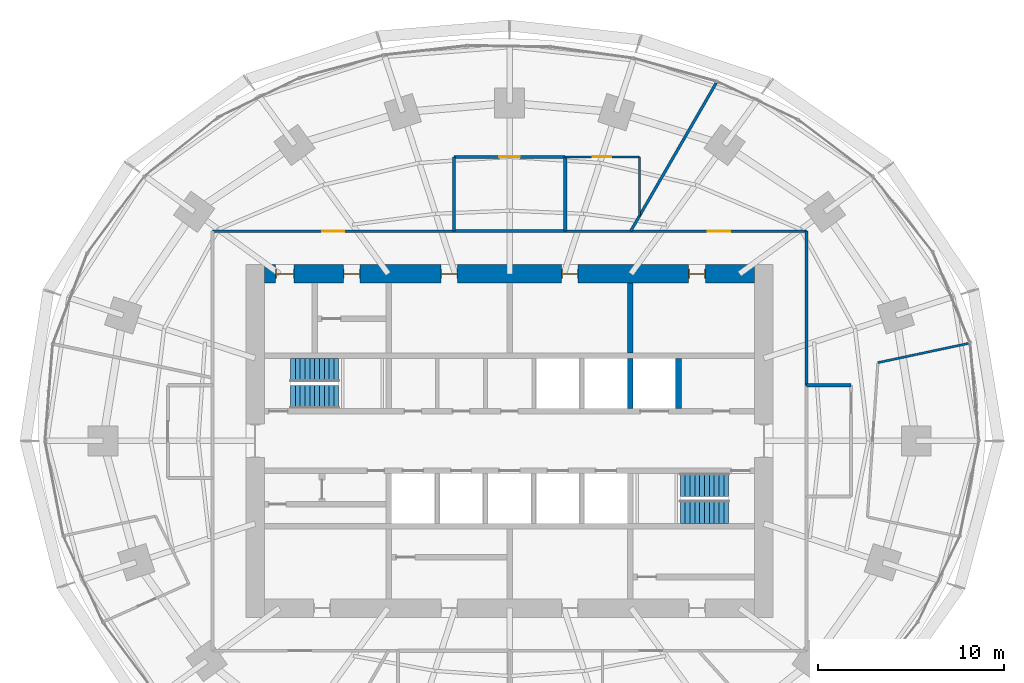
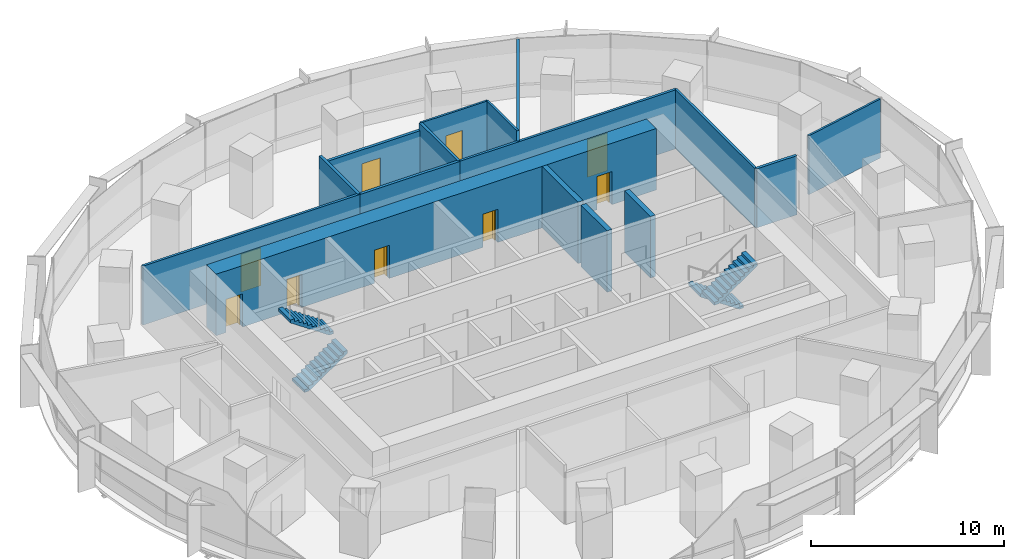
# One storey, part 12 of 14: 16 walls, 9 doors, 4 stair flights, 9 openings, 2 elements without a shape of their own.
"""IFC4 building model written with IfcOpenShell, lengths in metres."""

from ifc_helpers import new_model, si_unit, direction, frame, frame_2d, origin, place, context, subcontext, project, spatial, polyline, rectangle, outline, extrude, material, layer, layer_set, type_object, element, fill, aggregate, save


model = new_model("IFC4")

# Units and contexts
model_context = context("Model", 3, precision=1e-05, world=origin(), true_north=direction((0.0, 1.0)))
body_context = subcontext(model_context, "Body", "Model", "MODEL_VIEW")
ifc_project = project(units=[si_unit("LENGTHUNIT", "METRE"), si_unit("AREAUNIT", "SQUARE_METRE"), si_unit("VOLUMEUNIT", "CUBIC_METRE"), si_unit("PLANEANGLEUNIT", "RADIAN"), si_unit("MASSUNIT", "GRAM", prefix="KILO")], contexts=[model_context])

# Site, building, storey
site_placement = place(None, origin())
site = spatial("IfcSite", under=ifc_project, at=site_placement, CompositionType="ELEMENT")
building_placement = place(site_placement, origin())
building = spatial("IfcBuilding", under=site, at=building_placement, Name="Marramba Exchange Tower", CompositionType="ELEMENT")
storey_placement = place(building_placement, frame((0.0, 0.0, 123.60009765625)))
storey = spatial("IfcBuildingStorey", under=building, at=storey_placement, Name="L29", CompositionType="ELEMENT", Elevation=123.60009765625)

# Walls
ifc_material_1 = material(Name="Plasterboard on staggered double steel studs, acoustic insulation", Category="steel")
ifc_layer_1 = layer(ifc_material_1, 0.169921875)
ifc_layer_set_1 = layer_set([ifc_layer_1], Name="Acoustic partition 170")
wall_type_1 = type_object("IfcWallType", Name="Acoustic partition 170", PredefinedType="PARTITIONING", material=ifc_layer_set_1)
wall_1_placement = place(storey_placement, frame((18.39990234375, 3.0, 0.0), z_axis=(0.0, 0.0, 1.0), x_axis=(-1.0, 0.0, 0.0)))
element("IfcWall", 1, at=wall_1_placement, inside=storey, type_object=wall_type_1, Name="Acoustic partition L29 22", PredefinedType="PARTITIONING", context=body_context, shape_type="SweptSolid", body=[
    extrude(rectangle(XDim=2.39990234375, YDim=0.169921875, at=frame_2d((1.199951171875, 0.0))), origin(), (0.0, 0.0, 1.0), 3.739990234375),
])
wall_2_placement = place(storey_placement, frame((3.0, 15.300048828125, 0.0), z_axis=(0.0, 0.0, 1.0), x_axis=(0.0, -1.0, 0.0)))
element("IfcWall", 2, at=wall_2_placement, inside=storey, type_object=wall_type_1, Name="Acoustic partition L29 29", PredefinedType="PARTITIONING", context=body_context, shape_type="SweptSolid", body=[
    extrude(rectangle(XDim=4.0, YDim=0.169921875, at=frame_2d((2.0, 0.0))), origin(), (0.0, 0.0, 1.0), 3.739990234375),
])
wall_3_placement = place(storey_placement, frame((-3.0, 11.300048828125, 0.0), z_axis=(0.0, 0.0, 1.0), x_axis=(1.0, 0.0, 0.0)))
element("IfcWall", 3, at=wall_3_placement, inside=storey, type_object=wall_type_1, Name="Acoustic partition L29 30", PredefinedType="PARTITIONING", context=body_context, shape_type="SweptSolid", body=[
    extrude(rectangle(XDim=6.0, YDim=0.169921875, at=frame_2d((3.0, 0.0))), origin(), (0.0, 0.0, 1.0), 3.739990234375),
])

# Wall, opening, door
wall_4_placement = place(storey_placement, frame((3.0, 15.300048828125, 0.0), z_axis=(0.0, 0.0, 1.0), x_axis=(-1.0, 0.0, 0.0)))
wall_4 = element("IfcWall", 4, at=wall_4_placement, inside=storey, type_object=wall_type_1, Name="Acoustic partition L29 31", PredefinedType="PARTITIONING", context=body_context, shape_type="SweptSolid", body=[
    extrude(rectangle(XDim=6.0, YDim=0.169921875, at=frame_2d((3.0, 0.0))), origin(), (0.0, 0.0, 1.0), 3.285888671875),
])
opening_1_placement = place(wall_4_placement, frame((2.449951171875, 0.0, 0.0)))
opening_1 = element("IfcOpeningElement", 5, at=opening_1_placement, cuts=wall_4, Name="Opening D15", PredefinedType="OPENING", context=body_context, shape_type="SweptSolid", body=[
    extrude(rectangle(XDim=1.10009765625, YDim=2.39990234375, at=frame_2d((0.550048828125, 1.199951171875))), frame((0.0, 0.094970703125, 0.0), z_axis=(0.0, -1.0, 0.0), x_axis=(1.0, 0.0, 0.0)), (0.0, 0.0, 1.0), 0.18994140625),
])
ifc_material_2 = material(Name="Timber door", Category="wood")
door_type_1 = type_object("IfcDoorType", Name="Glazed meeting room door 1100x2400", OperationType="SINGLE_SWING_LEFT", PredefinedType="DOOR", material=ifc_material_2)
door_1_placement = place(opening_1_placement, origin())
door_1 = element("IfcDoor", 6, at=door_1_placement, inside=storey, type_object=door_type_1, Name="D15 Meeting Room 2 L29", OperationType="SINGLE_SWING_RIGHT", OverallHeight=2.39990234375, OverallWidth=1.10009765625, PredefinedType="DOOR", context=body_context, shape_type="SweptSolid", body=[
    extrude(rectangle(XDim=1.10009765625, YDim=2.39990234375, at=frame_2d((0.550048828125, 1.199951171875))), frame((0.0, 0.02490234375, 0.0), z_axis=(0.0, -1.0, 0.0), x_axis=(1.0, 0.0, 0.0)), (0.0, 0.0, 1.0), 0.050048828125),
])
fill(opening_1, door_1)

# Wall
wall_5_placement = place(storey_placement, frame((-3.0, 15.300048828125, 0.0), z_axis=(0.0, 0.0, 1.0), x_axis=(0.0, -1.0, 0.0)))
element("IfcWall", 7, at=wall_5_placement, inside=storey, type_object=wall_type_1, Name="Acoustic partition L29 32", PredefinedType="PARTITIONING", context=body_context, shape_type="SweptSolid", body=[
    extrude(rectangle(XDim=4.0, YDim=0.169921875, at=frame_2d((2.0, 0.0))), origin(), (0.0, 0.0, 1.0), 3.739990234375),
])

# Wall, openings, doors
ifc_material_3 = material(Name="Concrete N50", Category="concrete")
ifc_layer_2 = layer(ifc_material_3, 1.0)
ifc_layer_set_2 = layer_set([ifc_layer_2], Name="Core wall 1000")
wall_type_2 = type_object("IfcWallType", Name="Core wall 1000", PredefinedType="SHEAR", material=ifc_layer_set_2)
wall_6_placement = place(storey_placement, frame((13.199951171875, 9.0, 0.0), z_axis=(0.0, 0.0, 1.0), x_axis=(-1.0, 0.0, 0.0)))
wall_6 = element("IfcWall", 8, at=wall_6_placement, inside=storey, type_object=wall_type_2, Name="Core wall N L29", PredefinedType="SHEAR", context=body_context, shape_type="SweptSolid", body=[
    extrude(rectangle(XDim=26.39990234375, YDim=1.0, at=frame_2d((13.199951171875, 0.0))), origin(), (0.0, 0.0, 1.0), 3.89990234375),
])
opening_2_placement = place(wall_6_placement, frame((2.64990234375, 0.0, 0.0)))
opening_2 = element("IfcOpeningElement", 9, at=opening_2_placement, cuts=wall_6, Name="Opening D5", PredefinedType="OPENING", context=body_context, shape_type="SweptSolid", body=[
    extrude(rectangle(XDim=0.89990234375, YDim=2.10009765625, at=frame_2d((0.449951171875, 1.050048828125))), frame((0.0, 0.510009765625, 0.0), z_axis=(0.0, -1.0, 0.0), x_axis=(1.0, 0.0, 0.0)), (0.0, 0.0, 1.0), 1.02001953125),
])
opening_3_placement = place(wall_6_placement, frame((9.5, 0.0, 0.0)))
opening_3 = element("IfcOpeningElement", 10, at=opening_3_placement, cuts=wall_6, Name="Opening D3", PredefinedType="OPENING", context=body_context, shape_type="SweptSolid", body=[
    extrude(rectangle(XDim=0.89990234375, YDim=2.10009765625, at=frame_2d((0.449951171875, 1.050048828125))), frame((0.0, 0.510009765625, 0.0), z_axis=(0.0, -1.0, 0.0), x_axis=(1.0, 0.0, 0.0)), (0.0, 0.0, 1.0), 1.02001953125),
])
opening_4_placement = place(wall_6_placement, frame((16.0, 0.0, 0.0)))
opening_4 = element("IfcOpeningElement", 11, at=opening_4_placement, cuts=wall_6, Name="Opening D3", PredefinedType="OPENING", context=body_context, shape_type="SweptSolid", body=[
    extrude(rectangle(XDim=0.89990234375, YDim=2.10009765625, at=frame_2d((0.449951171875, 1.050048828125))), frame((0.0, 0.510009765625, 0.0), z_axis=(0.0, -1.0, 0.0), x_axis=(1.0, 0.0, 0.0)), (0.0, 0.0, 1.0), 1.02001953125),
])
opening_5_placement = place(wall_6_placement, frame((21.25, 0.0, 0.0)))
opening_5 = element("IfcOpeningElement", 12, at=opening_5_placement, cuts=wall_6, Name="Opening D5", PredefinedType="OPENING", context=body_context, shape_type="SweptSolid", body=[
    extrude(rectangle(XDim=0.89990234375, YDim=2.10009765625, at=frame_2d((0.449951171875, 1.050048828125))), frame((0.0, 0.510009765625, 0.0), z_axis=(0.0, -1.0, 0.0), x_axis=(1.0, 0.0, 0.0)), (0.0, 0.0, 1.0), 1.02001953125),
])
opening_6_placement = place(wall_6_placement, frame((24.800048828125, 0.0, 0.0)))
opening_6 = element("IfcOpeningElement", 13, at=opening_6_placement, cuts=wall_6, Name="Opening D4", PredefinedType="OPENING", context=body_context, shape_type="SweptSolid", body=[
    extrude(rectangle(XDim=1.0, YDim=2.10009765625, at=frame_2d((0.5, 1.050048828125))), frame((0.0, 0.510009765625, 0.0), z_axis=(0.0, -1.0, 0.0), x_axis=(1.0, 0.0, 0.0)), (0.0, 0.0, 1.0), 1.02001953125),
])
ifc_material_4 = material(Name="Steel-framed door", Category="steel")
door_type_2 = type_object("IfcDoorType", Name="Accessible toilet door 1000x2100", OperationType="SINGLE_SWING_LEFT", PredefinedType="DOOR", material=ifc_material_4)
door_2_placement = place(opening_6_placement, origin())
door_2 = element("IfcDoor", 14, at=door_2_placement, inside=storey, type_object=door_type_2, Name="D4 awc L29", OperationType="SINGLE_SWING_RIGHT", OverallHeight=2.10009765625, OverallWidth=1.0, PredefinedType="DOOR", context=body_context, shape_type="SweptSolid", body=[
    extrude(rectangle(XDim=0.919921875, YDim=2.06005859375, at=frame_2d((0.5, 1.030029296875))), frame((0.0, 0.02490234375, 0.0), z_axis=(0.0, -1.0, 0.0), x_axis=(1.0, 0.0, 0.0)), (0.0, 0.0, 1.0), 0.050048828125),
    extrude(rectangle(XDim=0.04, YDim=2.10009765625, at=frame_2d((0.02001953125, 1.050048828125))), frame((0.0, 0.25, 0.0), z_axis=(0.0, -1.0, 0.0), x_axis=(1.0, 0.0, 0.0)), (0.0, 0.0, 1.0), 0.5),
    extrude(rectangle(XDim=0.04, YDim=2.10009765625, at=frame_2d((0.97998046875, 1.050048828125))), frame((0.0, 0.25, 0.0), z_axis=(0.0, -1.0, 0.0), x_axis=(1.0, 0.0, 0.0)), (0.0, 0.0, 1.0), 0.5),
    extrude(rectangle(XDim=0.919921875, YDim=0.04, at=frame_2d((0.5, 2.080078125))), frame((0.0, 0.25, 0.0), z_axis=(0.0, -1.0, 0.0), x_axis=(1.0, 0.0, 0.0)), (0.0, 0.0, 1.0), 0.5),
])
fill(opening_6, door_2)
door_type_3 = type_object("IfcDoorType", Name="Service door 900x2100", OperationType="SINGLE_SWING_LEFT", PredefinedType="DOOR", material=ifc_material_4)
door_3_placement = place(opening_2_placement, origin())
door_3 = element("IfcDoor", 15, at=door_3_placement, inside=storey, type_object=door_type_3, Name="D5 comms L29", OperationType="SINGLE_SWING_LEFT", OverallHeight=2.10009765625, OverallWidth=0.89990234375, PredefinedType="DOOR", context=body_context, shape_type="SweptSolid", body=[
    extrude(rectangle(XDim=0.81982421875, YDim=2.06005859375, at=frame_2d((0.449951171875, 1.030029296875))), frame((0.0, 0.02490234375, 0.0), z_axis=(0.0, -1.0, 0.0), x_axis=(1.0, 0.0, 0.0)), (0.0, 0.0, 1.0), 0.050048828125),
    extrude(rectangle(XDim=0.04, YDim=2.10009765625, at=frame_2d((0.02001953125, 1.050048828125))), frame((0.0, 0.25, 0.0), z_axis=(0.0, -1.0, 0.0), x_axis=(1.0, 0.0, 0.0)), (0.0, 0.0, 1.0), 0.5),
    extrude(rectangle(XDim=0.04, YDim=2.10009765625, at=frame_2d((0.8798828125, 1.050048828125))), frame((0.0, 0.25, 0.0), z_axis=(0.0, -1.0, 0.0), x_axis=(1.0, 0.0, 0.0)), (0.0, 0.0, 1.0), 0.5),
    extrude(rectangle(XDim=0.81982421875, YDim=0.04, at=frame_2d((0.449951171875, 2.080078125))), frame((0.0, 0.25, 0.0), z_axis=(0.0, -1.0, 0.0), x_axis=(1.0, 0.0, 0.0)), (0.0, 0.0, 1.0), 0.5),
])
fill(opening_2, door_3)
door_4_placement = place(opening_5_placement, origin())
door_4 = element("IfcDoor", 16, at=door_4_placement, inside=storey, type_object=door_type_3, Name="D5 cleaner L29", OperationType="SINGLE_SWING_RIGHT", OverallHeight=2.10009765625, OverallWidth=0.89990234375, PredefinedType="DOOR", context=body_context, shape_type="SweptSolid", body=[
    extrude(rectangle(XDim=0.81982421875, YDim=2.06005859375, at=frame_2d((0.449951171875, 1.030029296875))), frame((0.0, 0.02490234375, 0.0), z_axis=(0.0, -1.0, 0.0), x_axis=(1.0, 0.0, 0.0)), (0.0, 0.0, 1.0), 0.050048828125),
    extrude(rectangle(XDim=0.04, YDim=2.10009765625, at=frame_2d((0.02001953125, 1.050048828125))), frame((0.0, 0.25, 0.0), z_axis=(0.0, -1.0, 0.0), x_axis=(1.0, 0.0, 0.0)), (0.0, 0.0, 1.0), 0.5),
    extrude(rectangle(XDim=0.04, YDim=2.10009765625, at=frame_2d((0.8798828125, 1.050048828125))), frame((0.0, 0.25, 0.0), z_axis=(0.0, -1.0, 0.0), x_axis=(1.0, 0.0, 0.0)), (0.0, 0.0, 1.0), 0.5),
    extrude(rectangle(XDim=0.81982421875, YDim=0.04, at=frame_2d((0.449951171875, 2.080078125))), frame((0.0, 0.25, 0.0), z_axis=(0.0, -1.0, 0.0), x_axis=(1.0, 0.0, 0.0)), (0.0, 0.0, 1.0), 0.5),
])
fill(opening_5, door_4)
door_type_4 = type_object("IfcDoorType", Name="Toilet door 900x2100", OperationType="SINGLE_SWING_LEFT", PredefinedType="DOOR", material=ifc_material_4)
door_5_placement = place(opening_3_placement, origin())
door_5 = element("IfcDoor", 17, at=door_5_placement, inside=storey, type_object=door_type_4, Name="D3 wc-f L29", OperationType="SINGLE_SWING_RIGHT", OverallHeight=2.10009765625, OverallWidth=0.89990234375, PredefinedType="DOOR", context=body_context, shape_type="SweptSolid", body=[
    extrude(rectangle(XDim=0.81982421875, YDim=2.06005859375, at=frame_2d((0.449951171875, 1.030029296875))), frame((0.0, 0.02490234375, 0.0), z_axis=(0.0, -1.0, 0.0), x_axis=(1.0, 0.0, 0.0)), (0.0, 0.0, 1.0), 0.050048828125),
    extrude(rectangle(XDim=0.04, YDim=2.10009765625, at=frame_2d((0.02001953125, 1.050048828125))), frame((0.0, 0.25, 0.0), z_axis=(0.0, -1.0, 0.0), x_axis=(1.0, 0.0, 0.0)), (0.0, 0.0, 1.0), 0.5),
    extrude(rectangle(XDim=0.04, YDim=2.10009765625, at=frame_2d((0.8798828125, 1.050048828125))), frame((0.0, 0.25, 0.0), z_axis=(0.0, -1.0, 0.0), x_axis=(1.0, 0.0, 0.0)), (0.0, 0.0, 1.0), 0.5),
    extrude(rectangle(XDim=0.81982421875, YDim=0.04, at=frame_2d((0.449951171875, 2.080078125))), frame((0.0, 0.25, 0.0), z_axis=(0.0, -1.0, 0.0), x_axis=(1.0, 0.0, 0.0)), (0.0, 0.0, 1.0), 0.5),
])
fill(opening_3, door_5)
door_6_placement = place(opening_4_placement, origin())
door_6 = element("IfcDoor", 18, at=door_6_placement, inside=storey, type_object=door_type_4, Name="D3 wc-m L29", OperationType="SINGLE_SWING_RIGHT", OverallHeight=2.10009765625, OverallWidth=0.89990234375, PredefinedType="DOOR", context=body_context, shape_type="SweptSolid", body=[
    extrude(rectangle(XDim=0.81982421875, YDim=2.06005859375, at=frame_2d((0.449951171875, 1.030029296875))), frame((0.0, 0.02490234375, 0.0), z_axis=(0.0, -1.0, 0.0), x_axis=(1.0, 0.0, 0.0)), (0.0, 0.0, 1.0), 0.050048828125),
    extrude(rectangle(XDim=0.04, YDim=2.10009765625, at=frame_2d((0.02001953125, 1.050048828125))), frame((0.0, 0.25, 0.0), z_axis=(0.0, -1.0, 0.0), x_axis=(1.0, 0.0, 0.0)), (0.0, 0.0, 1.0), 0.5),
    extrude(rectangle(XDim=0.04, YDim=2.10009765625, at=frame_2d((0.8798828125, 1.050048828125))), frame((0.0, 0.25, 0.0), z_axis=(0.0, -1.0, 0.0), x_axis=(1.0, 0.0, 0.0)), (0.0, 0.0, 1.0), 0.5),
    extrude(rectangle(XDim=0.81982421875, YDim=0.04, at=frame_2d((0.449951171875, 2.080078125))), frame((0.0, 0.25, 0.0), z_axis=(0.0, -1.0, 0.0), x_axis=(1.0, 0.0, 0.0)), (0.0, 0.0, 1.0), 0.5),
])
fill(opening_4, door_6)

# Walls
ifc_layer_3 = layer(ifc_material_3, 0.300048828125)
ifc_layer_set_3 = layer_set([ifc_layer_3], Name="Core wall 300")
wall_type_3 = type_object("IfcWallType", Name="Core wall 300", PredefinedType="SHEAR", material=ifc_layer_set_3)
wall_7_placement = place(storey_placement, frame((6.5, 1.75, 0.0), z_axis=(0.0, 0.0, 1.0), x_axis=(0.0, 1.0, 0.0)))
element("IfcWall", 19, at=wall_7_placement, inside=storey, type_object=wall_type_3, Name="Core wall X1Na L29", PredefinedType="SHEAR", context=body_context, shape_type="SweptSolid", body=[
    extrude(rectangle(XDim=2.699951171875, YDim=0.300048828125, at=frame_2d((1.35009765625, 0.0))), origin(), (0.0, 0.0, 1.0), 3.89990234375),
])
wall_8_placement = place(storey_placement, frame((6.5, 4.75, 0.0), z_axis=(0.0, 0.0, 1.0), x_axis=(0.0, 1.0, 0.0)))
element("IfcWall", 20, at=wall_8_placement, inside=storey, type_object=wall_type_3, Name="Core wall X1Nb L29", PredefinedType="SHEAR", context=body_context, shape_type="SweptSolid", body=[
    extrude(rectangle(XDim=3.75, YDim=0.300048828125, at=frame_2d((1.875, 0.0))), origin(), (0.0, 0.0, 1.0), 3.89990234375),
])
wall_9_placement = place(storey_placement, frame((9.10009765625, 1.75, 0.0), z_axis=(0.0, 0.0, 1.0), x_axis=(0.0, 1.0, 0.0)))
element("IfcWall", 21, at=wall_9_placement, inside=storey, type_object=wall_type_3, Name="Core wall ED L29", PredefinedType="SHEAR", context=body_context, shape_type="SweptSolid", body=[
    extrude(rectangle(XDim=2.699951171875, YDim=0.300048828125, at=frame_2d((1.35009765625, 0.0))), origin(), (0.0, 0.0, 1.0), 3.89990234375),
])
ifc_material_5 = material(Name="Plasterboard on steel studs", Category="steel")
ifc_layer_4 = layer(ifc_material_5, 0.1201171875)
ifc_layer_set_4 = layer_set([ifc_layer_4], Name="Partition 120")
wall_type_4 = type_object("IfcWallType", Name="Partition 120", PredefinedType="PARTITIONING", material=ifc_layer_set_4)
wall_10_placement = place(storey_placement, frame((24.73046875, 5.256591796875, 0.0), z_axis=(0.0, 0.0, 1.0), x_axis=(-0.978149046495, -0.207904888932, 0.0)))
element("IfcWall", 22, at=wall_10_placement, inside=storey, type_object=wall_type_4, Name="Partition L29 23", PredefinedType="PARTITIONING", context=body_context, shape_type="SweptSolid", body=[
    extrude(rectangle(XDim=5.000244140625, YDim=0.1201171875, at=frame_2d((2.5, 0.0))), origin(), (0.0, 0.0, 1.0), 3.739990234375),
])
wall_11_placement = place(storey_placement, frame((7.0, 12.124267578125, 0.0), z_axis=(0.0, 0.0, 1.0), x_axis=(0.0, 1.0, 0.0)))
element("IfcWall", 23, at=wall_11_placement, inside=storey, type_object=wall_type_4, Name="Partition L29 27", PredefinedType="PARTITIONING", context=body_context, shape_type="SweptSolid", body=[
    extrude(rectangle(XDim=3.17578125, YDim=0.1201171875, at=frame_2d((1.587890625, 0.0))), origin(), (0.0, 0.0, 1.0), 3.739990234375),
])

# Wall, opening, door
wall_12_placement = place(storey_placement, frame((7.0, 15.300048828125, 0.0), z_axis=(0.0, 0.0, 1.0), x_axis=(-1.0, 0.0, 0.0)))
wall_12 = element("IfcWall", 24, at=wall_12_placement, inside=storey, type_object=wall_type_4, Name="Partition L29 28", PredefinedType="PARTITIONING", context=body_context, shape_type="SweptSolid", body=[
    extrude(rectangle(XDim=4.0, YDim=0.1201171875, at=frame_2d((2.0, 0.0))), origin(), (0.0, 0.0, 1.0), 3.739990234375),
])
opening_7_placement = place(wall_12_placement, frame((1.52587890625, 0.0, 0.0)))
opening_7 = element("IfcOpeningElement", 25, at=opening_7_placement, cuts=wall_12, Name="Opening D9", PredefinedType="OPENING", context=body_context, shape_type="SweptSolid", body=[
    extrude(rectangle(XDim=1.0, YDim=2.39990234375, at=frame_2d((0.5, 1.199951171875))), frame((0.0, 0.070068359375, 0.0), z_axis=(0.0, -1.0, 0.0), x_axis=(1.0, 0.0, 0.0)), (0.0, 0.0, 1.0), 0.14013671875),
])
door_type_5 = type_object("IfcDoorType", Name="Room door 1000x2400", OperationType="SINGLE_SWING_LEFT", PredefinedType="DOOR", material=ifc_material_2)
door_7_placement = place(opening_7_placement, origin())
door_7 = element("IfcDoor", 26, at=door_7_placement, inside=storey, type_object=door_type_5, Name="D9 Pantry 1 L29", OperationType="SINGLE_SWING_RIGHT", OverallHeight=2.39990234375, OverallWidth=1.0, PredefinedType="DOOR", context=body_context, shape_type="SweptSolid", body=[
    extrude(rectangle(XDim=1.0, YDim=2.39990234375, at=frame_2d((0.5, 1.199951171875))), frame((0.0, 0.02490234375, 0.0), z_axis=(0.0, -1.0, 0.0), x_axis=(1.0, 0.0, 0.0)), (0.0, 0.0, 1.0), 0.050048828125),
])
fill(opening_7, door_7)

# Wall
ifc_material_6 = material(Name="Fire-rated plasterboard on steel studs, acoustic insulation", Category="steel")
ifc_layer_5 = layer(ifc_material_6, 0.14990234375)
ifc_layer_set_5 = layer_set([ifc_layer_5], Name="Tenancy wall 150")
wall_type_5 = type_object("IfcWallType", Name="Tenancy wall 150", PredefinedType="PARTITIONING", material=ifc_layer_set_5)
wall_13_placement = place(storey_placement, frame((16.0, 3.0, 0.0), z_axis=(0.0, 0.0, 1.0), x_axis=(0.0, 1.0, 0.0)))
element("IfcWall", 27, at=wall_13_placement, inside=storey, type_object=wall_type_5, Name="Tenancy wall L29 24", PredefinedType="PARTITIONING", context=body_context, shape_type="SweptSolid", body=[
    extrude(rectangle(XDim=8.300048828125, YDim=0.14990234375, at=frame_2d((4.14990234375, 0.0))), origin(), (0.0, 0.0, 1.0), 3.739990234375),
])

# Wall, opening, door
wall_14_placement = place(storey_placement, frame((16.0, 11.300048828125, 0.0), z_axis=(0.0, 0.0, 1.0), x_axis=(-1.0, 0.0, 0.0)))
wall_14 = element("IfcWall", 28, at=wall_14_placement, inside=storey, type_object=wall_type_5, Name="Tenancy wall L29 25", PredefinedType="PARTITIONING", context=body_context, shape_type="SweptSolid", body=[
    extrude(rectangle(XDim=13.0, YDim=0.14990234375, at=frame_2d((6.5, 0.0))), origin(), (0.0, 0.0, 1.0), 3.739990234375),
])
opening_8_placement = place(wall_14_placement, frame((4.113037109375, 0.0, 0.0)))
opening_8 = element("IfcOpeningElement", 29, at=opening_8_placement, cuts=wall_14, Name="Opening D13", PredefinedType="OPENING", context=body_context, shape_type="SweptSolid", body=[
    extrude(rectangle(XDim=1.199951171875, YDim=2.39990234375, at=frame_2d((0.60009765625, 1.199951171875))), frame((0.0, 0.0849609375, 0.0), z_axis=(0.0, -1.0, 0.0), x_axis=(1.0, 0.0, 0.0)), (0.0, 0.0, 1.0), 0.169921875),
])
door_type_6 = type_object("IfcDoorType", Name="Tenancy entry door 1200x2400", OperationType="SINGLE_SWING_LEFT", PredefinedType="DOOR", material=ifc_material_4)
door_8_placement = place(opening_8_placement, origin())
door_8 = element("IfcDoor", 30, at=door_8_placement, inside=storey, type_object=door_type_6, Name="D13 Office 1 L29", OperationType="SINGLE_SWING_LEFT", OverallHeight=2.39990234375, OverallWidth=1.199951171875, PredefinedType="DOOR", context=body_context, shape_type="SweptSolid", body=[
    extrude(rectangle(XDim=1.199951171875, YDim=2.39990234375, at=frame_2d((0.60009765625, 1.199951171875))), frame((0.0, 0.02490234375, 0.0), z_axis=(0.0, -1.0, 0.0), x_axis=(1.0, 0.0, 0.0)), (0.0, 0.0, 1.0), 0.050048828125),
])
fill(opening_8, door_8)

# Wall
wall_15_placement = place(storey_placement, frame((6.524169921875, 11.300048828125, 0.0), z_axis=(0.0, 0.0, 1.0), x_axis=(0.499995827671, 0.866027812666, 0.0)))
element("IfcWall", 31, at=wall_15_placement, inside=storey, type_object=wall_type_5, Name="Tenancy wall L29 26", PredefinedType="PARTITIONING", context=body_context, shape_type="SweptSolid", body=[
    extrude(rectangle(XDim=9.22509765625, YDim=0.14990234375, at=frame_2d((4.612548828125, 0.0))), origin(), (0.0, 0.0, 1.0), 3.739990234375),
])

# Wall, opening, door
wall_16_placement = place(storey_placement, frame((-3.0, 11.300048828125, 0.0), z_axis=(0.0, 0.0, 1.0), x_axis=(-1.0, 0.0, 0.0)))
wall_16 = element("IfcWall", 32, at=wall_16_placement, inside=storey, type_object=wall_type_5, Name="Tenancy wall L29 33", PredefinedType="PARTITIONING", context=body_context, shape_type="SweptSolid", body=[
    extrude(rectangle(XDim=13.0, YDim=0.14990234375, at=frame_2d((6.5, 0.0))), origin(), (0.0, 0.0, 1.0), 3.739990234375),
])
opening_9_placement = place(wall_16_placement, frame((5.89990234375, 0.0, 0.0)))
opening_9 = element("IfcOpeningElement", 33, at=opening_9_placement, cuts=wall_16, Name="Opening D13", PredefinedType="OPENING", context=body_context, shape_type="SweptSolid", body=[
    extrude(rectangle(XDim=1.199951171875, YDim=2.39990234375, at=frame_2d((0.60009765625, 1.199951171875))), frame((0.0, 0.0849609375, 0.0), z_axis=(0.0, -1.0, 0.0), x_axis=(1.0, 0.0, 0.0)), (0.0, 0.0, 1.0), 0.169921875),
])
door_9_placement = place(opening_9_placement, origin())
door_9 = element("IfcDoor", 34, at=door_9_placement, inside=storey, type_object=door_type_6, Name="D13 Office 2 L29", OperationType="SINGLE_SWING_RIGHT", OverallHeight=2.39990234375, OverallWidth=1.199951171875, PredefinedType="DOOR", context=body_context, shape_type="SweptSolid", body=[
    extrude(rectangle(XDim=1.199951171875, YDim=2.39990234375, at=frame_2d((0.60009765625, 1.199951171875))), frame((0.0, 0.02490234375, 0.0), z_axis=(0.0, -1.0, 0.0), x_axis=(1.0, 0.0, 0.0)), (0.0, 0.0, 1.0), 0.050048828125),
])
fill(opening_9, door_9)

# Stair, stair flights
ifc_material_7 = material(Name="Concrete N40 (40 MPa)", Category="concrete")
stair_type_1 = type_object("IfcStairType", Name="Exit stair ST1 3900 x 1250", PredefinedType="HALF_TURN_STAIR", material=ifc_material_7)
stair_1_placement = place(storey_placement, origin())
stair_1 = element("IfcStair", 35, at=stair_1_placement, inside=storey, type_object=stair_type_1, Name="Exit stair ST1 L29", PredefinedType="HALF_TURN_STAIR")
stair_flight_type_1 = type_object("IfcStairFlightType", Name="ST1 stair flight 1773 riser 1250 wide", PredefinedType="STRAIGHT", material=ifc_material_7)
stair_flight_1_placement = place(storey_placement, frame((-11.800048828125, 2.375, 0.0), z_axis=(0.0, 0.0, 1.0), x_axis=(1.0, 0.0, 0.0)))
stair_flight_1 = element("IfcStairFlight", 36, at=stair_flight_1_placement, type_object=stair_flight_type_1, Name="ST1 flight 1", NumberOfRisers=11, NumberOfTreads=10, PredefinedType="STRAIGHT", RiserHeight=0.177272727, TreadLength=0.26, context=body_context, shape_type="SweptSolid", body=[
    extrude(outline(polyline([(0.0, 0.0), (0.0, 0.17724609375), (0.260009765625, 0.17724609375), (0.260009765625, 0.3544921875), (0.52001953125, 0.3544921875), (0.52001953125, 0.53173828125), (0.780029296875, 0.53173828125), (0.780029296875, 0.708984375), (1.0400390625, 0.708984375), (1.0400390625, 0.886474609375), (1.300048828125, 0.886474609375), (1.300048828125, 1.063720703125), (1.56005859375, 1.063720703125), (1.56005859375, 1.240966796875), (1.820068359375, 1.240966796875), (1.820068359375, 1.418212890625), (2.080078125, 1.418212890625), (2.080078125, 1.595458984375), (2.340087890625, 1.595458984375), (2.340087890625, 1.772705078125), (2.60009765625, 1.772705078125), (2.60009765625, 1.949951171875), (2.60009765625, 1.59130859375), (0.26611328125, 0.0), (0.0, 0.0)])), frame((0.0, 0.625, 0.0), z_axis=(0.0, -1.0, 0.0), x_axis=(1.0, 0.0, 0.0)), (0.0, 0.0, 1.0), 1.25),
])
stair_flight_2_placement = place(storey_placement, frame((-9.199951171875, 3.824951171875, 1.949951171875), z_axis=(0.0, 0.0, 1.0), x_axis=(-1.0, 0.0, 0.0)))
stair_flight_2 = element("IfcStairFlight", 37, at=stair_flight_2_placement, type_object=stair_flight_type_1, Name="ST1 flight 2", NumberOfRisers=11, NumberOfTreads=10, PredefinedType="STRAIGHT", RiserHeight=0.177272727, TreadLength=0.26, context=body_context, shape_type="SweptSolid", body=[
    extrude(outline(polyline([(0.0, 0.0), (0.0, 0.17724609375), (0.260009765625, 0.17724609375), (0.260009765625, 0.3544921875), (0.52001953125, 0.3544921875), (0.52001953125, 0.53173828125), (0.780029296875, 0.53173828125), (0.780029296875, 0.708984375), (1.0400390625, 0.708984375), (1.0400390625, 0.886474609375), (1.300048828125, 0.886474609375), (1.300048828125, 1.063720703125), (1.56005859375, 1.063720703125), (1.56005859375, 1.240966796875), (1.820068359375, 1.240966796875), (1.820068359375, 1.418212890625), (2.080078125, 1.418212890625), (2.080078125, 1.595458984375), (2.340087890625, 1.595458984375), (2.340087890625, 1.772705078125), (2.60009765625, 1.772705078125), (2.60009765625, 1.949951171875), (2.60009765625, 1.59130859375), (0.26611328125, 0.0), (0.0, 0.0)])), frame((0.0, 0.625, 0.0), z_axis=(0.0, -1.0, 0.0), x_axis=(1.0, 0.0, 0.0)), (0.0, 0.0, 1.0), 1.25),
])
aggregate(stair_1, [stair_flight_1, stair_flight_2])

stair_type_2 = type_object("IfcStairType", Name="Exit stair ST2 3900 x 1250", PredefinedType="HALF_TURN_STAIR", material=ifc_material_7)
stair_2_placement = place(storey_placement, origin())
stair_2 = element("IfcStair", 38, at=stair_2_placement, inside=storey, type_object=stair_type_2, Name="Exit stair ST2 L29", PredefinedType="HALF_TURN_STAIR")
stair_flight_type_2 = type_object("IfcStairFlightType", Name="ST2 stair flight 1773 riser 1250 wide", PredefinedType="STRAIGHT", material=ifc_material_7)
stair_flight_3_placement = place(storey_placement, frame((11.800048828125, -2.375, 0.0), z_axis=(0.0, 0.0, 1.0), x_axis=(-1.0, 0.0, 0.0)))
stair_flight_3 = element("IfcStairFlight", 39, at=stair_flight_3_placement, type_object=stair_flight_type_2, Name="ST2 flight 1", NumberOfRisers=11, NumberOfTreads=10, PredefinedType="STRAIGHT", RiserHeight=0.177272727, TreadLength=0.26, context=body_context, shape_type="SweptSolid", body=[
    extrude(outline(polyline([(0.0, 0.0), (0.0, 0.17724609375), (0.260009765625, 0.17724609375), (0.260009765625, 0.3544921875), (0.52001953125, 0.3544921875), (0.52001953125, 0.53173828125), (0.780029296875, 0.53173828125), (0.780029296875, 0.708984375), (1.0400390625, 0.708984375), (1.0400390625, 0.886474609375), (1.300048828125, 0.886474609375), (1.300048828125, 1.063720703125), (1.56005859375, 1.063720703125), (1.56005859375, 1.240966796875), (1.820068359375, 1.240966796875), (1.820068359375, 1.418212890625), (2.080078125, 1.418212890625), (2.080078125, 1.595458984375), (2.340087890625, 1.595458984375), (2.340087890625, 1.772705078125), (2.60009765625, 1.772705078125), (2.60009765625, 1.949951171875), (2.60009765625, 1.59130859375), (0.26611328125, 0.0), (0.0, 0.0)])), frame((0.0, 0.625, 0.0), z_axis=(0.0, -1.0, 0.0), x_axis=(1.0, 0.0, 0.0)), (0.0, 0.0, 1.0), 1.25),
])
stair_flight_4_placement = place(storey_placement, frame((9.199951171875, -3.824951171875, 1.949951171875), z_axis=(0.0, 0.0, 1.0), x_axis=(1.0, 0.0, 0.0)))
stair_flight_4 = element("IfcStairFlight", 40, at=stair_flight_4_placement, type_object=stair_flight_type_2, Name="ST2 flight 2", NumberOfRisers=11, NumberOfTreads=10, PredefinedType="STRAIGHT", RiserHeight=0.177272727, TreadLength=0.26, context=body_context, shape_type="SweptSolid", body=[
    extrude(outline(polyline([(0.0, 0.0), (0.0, 0.17724609375), (0.260009765625, 0.17724609375), (0.260009765625, 0.3544921875), (0.52001953125, 0.3544921875), (0.52001953125, 0.53173828125), (0.780029296875, 0.53173828125), (0.780029296875, 0.708984375), (1.0400390625, 0.708984375), (1.0400390625, 0.886474609375), (1.300048828125, 0.886474609375), (1.300048828125, 1.063720703125), (1.56005859375, 1.063720703125), (1.56005859375, 1.240966796875), (1.820068359375, 1.240966796875), (1.820068359375, 1.418212890625), (2.080078125, 1.418212890625), (2.080078125, 1.595458984375), (2.340087890625, 1.595458984375), (2.340087890625, 1.772705078125), (2.60009765625, 1.772705078125), (2.60009765625, 1.949951171875), (2.60009765625, 1.59130859375), (0.26611328125, 0.0), (0.0, 0.0)])), frame((0.0, 0.625, 0.0), z_axis=(0.0, -1.0, 0.0), x_axis=(1.0, 0.0, 0.0)), (0.0, 0.0, 1.0), 1.25),
])
aggregate(stair_2, [stair_flight_3, stair_flight_4])

save(model, "model.ifc")
